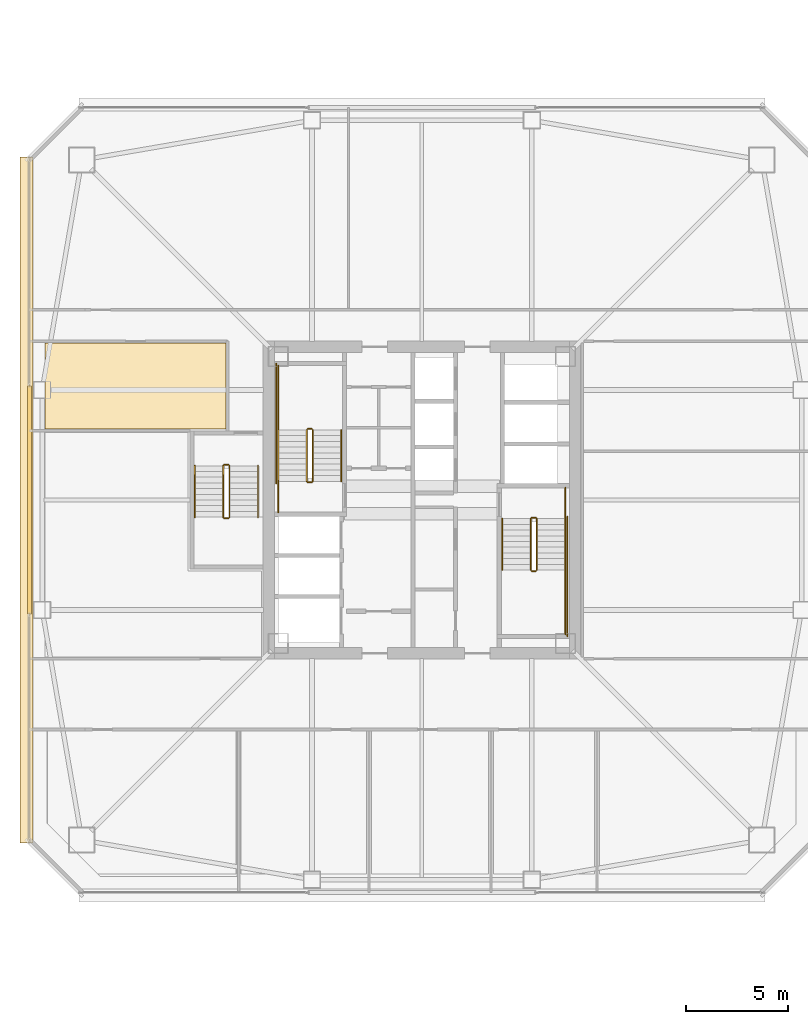
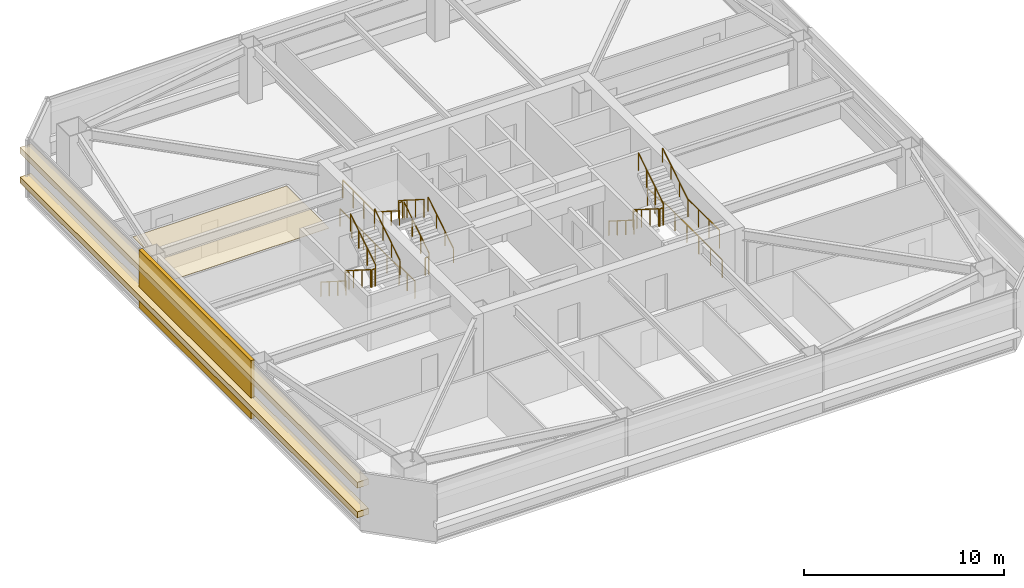
# One storey, part 37 of 41: 24 railings, 4 coverings.
"""IFC4 building model written with IfcOpenShell, lengths in metres."""

import ifcopenshell
import ifcopenshell.guid

model = None  # the IFC model being written
_history = None  # IfcOwnerHistory: only IFC2X3 demands one
_inside = {}  # id of a spatial element -> (the spatial element, [elements in it])
_under = {}  # id of a project, library or spatial element -> (it, [spatial elements below it])
_declared = {}  # id of a project -> (the project, [libraries it declares])
_typed = {}  # id of a type object -> (the type object, [elements of that type])
_made_of = {}  # id of a material, layer set ... -> (it, [elements and type objects made of it])


def new_model(schema):
    """Start an empty IFC model of exactly this schema.

    Asked for "IFC4X3", IfcOpenShell would pick the latest addendum, in which some entities
    have other attributes; the version numbers below select the first issue.
    IFC2X3 requires an IfcOwnerHistory on every rooted entity: one is made here for all.
    """
    global model, _history
    if schema == "IFC4X3":
        model = ifcopenshell.file(schema_version=(4, 3, 0, 0))
    else:
        model = ifcopenshell.file(schema=schema)
    _inside.clear()
    _under.clear()
    _declared.clear()
    _typed.clear()
    _made_of.clear()
    _history = None
    if model.schema == "IFC2X3":
        org = make("IfcOrganization", Name="unknown")
        user = make(
            "IfcPersonAndOrganization",
            ThePerson=make("IfcPerson", FamilyName="unknown"),
            TheOrganization=org,
        )
        app = make(
            "IfcApplication",
            ApplicationDeveloper=org,
            Version="unknown",
            ApplicationFullName="unknown",
            ApplicationIdentifier="unknown",
        )
        _history = make(
            "IfcOwnerHistory",
            OwningUser=user,
            OwningApplication=app,
            ChangeAction="ADDED",
            CreationDate=0,
        )
    return model


def make(cls, **values):
    """One entity of the class cls with the attributes given. An attribute that is None is left unset."""
    return model.create_entity(
        cls, **{name: value for name, value in values.items() if value is not None}
    )


def rooted(cls, **values):
    """An entity with a GlobalId (a new one), such as an element, a storey or a relation."""
    return make(cls, GlobalId=ifcopenshell.guid.new(), OwnerHistory=_history, **values)


def si_unit(unit_type, name, prefix=None):
    """IfcSIUnit, for example si_unit("LENGTHUNIT", "METRE", prefix="MILLI")."""
    return make("IfcSIUnit", UnitType=unit_type, Prefix=prefix, Name=name)


def assignment(units):
    """IfcUnitAssignment: the units of a project."""
    return None if units is None else make("IfcUnitAssignment", Units=units)


def point(xyz):
    """IfcCartesianPoint."""
    return None if xyz is None else make("IfcCartesianPoint", Coordinates=xyz)


def direction(xyz):
    """IfcDirection."""
    return None if xyz is None else make("IfcDirection", DirectionRatios=xyz)


def frame(location, z_axis=None, x_axis=None):
    """IfcAxis2Placement3D, a coordinate frame: its origin and axes. An axis left out is left unset."""
    return make(
        "IfcAxis2Placement3D",
        Location=point(location),
        Axis=direction(z_axis),
        RefDirection=direction(x_axis),
    )


def frame_2d(location, x_axis=None):
    """IfcAxis2Placement2D, a coordinate frame in the plane: its origin and x axis."""
    return make(
        "IfcAxis2Placement2D", Location=point(location), RefDirection=direction(x_axis)
    )


def origin():
    """The frame at (0, 0, 0) with its axes left unset."""
    return frame((0.0, 0.0, 0.0))


def origin_2d():
    """The frame at (0, 0) in the plane with its x axis left unset."""
    return frame_2d((0.0, 0.0))


def place(relative_to, where):
    """IfcLocalPlacement: puts the frame where relative to a parent placement (None: the world)."""
    return make(
        "IfcLocalPlacement", PlacementRelTo=relative_to, RelativePlacement=where
    )


def context(
    kind, dimensions, precision=None, world=None, true_north=None, identifier=None
):
    """IfcGeometricRepresentationContext, for example the 3D "Model" context."""
    return make(
        "IfcGeometricRepresentationContext",
        ContextIdentifier=identifier,
        ContextType=kind,
        CoordinateSpaceDimension=dimensions,
        Precision=precision,
        WorldCoordinateSystem=world,
        TrueNorth=true_north,
    )


def subcontext(parent, identifier, kind, view, scale=None):
    """IfcGeometricRepresentationSubContext, for example "Body" below "Model"."""
    return make(
        "IfcGeometricRepresentationSubContext",
        ContextIdentifier=identifier,
        ContextType=kind,
        ParentContext=parent,
        TargetScale=scale,
        TargetView=view,
    )


def project(units=None, contexts=None):
    """IfcProject with its units and contexts."""
    return rooted(
        "IfcProject",
        Name="project",
        RepresentationContexts=contexts,
        UnitsInContext=assignment(units),
    )


def spatial(cls, under=None, at=None, **own):
    """A site, building, storey or space (cls), placed at a placement, below another one or the project."""
    s = rooted(cls, ObjectPlacement=at, **own)
    if under is not None:
        _under.setdefault(under.id(), (under, []))[1].append(s)
    return s


def polyline(points):
    """IfcPolyline through the points."""
    return make("IfcPolyline", Points=[point(p) for p in points])


def profile(cls, at=None, kind="AREA", **sizes):
    """A parametric profile (cls). Its sizes go by their IFC names, for example OverallWidth=200.0."""
    return make(cls, ProfileType=kind, Position=at, **sizes)


def rectangle(**sizes):
    """IfcRectangleProfileDef."""
    return profile("IfcRectangleProfileDef", **sizes)


def outline(outer, holes=None, kind="AREA"):
    """IfcArbitraryClosedProfileDef: a profile drawn as a closed curve; with holes, ...WithVoids."""
    if holes is None:
        return make("IfcArbitraryClosedProfileDef", ProfileType=kind, OuterCurve=outer)
    return make(
        "IfcArbitraryProfileDefWithVoids",
        ProfileType=kind,
        OuterCurve=outer,
        InnerCurves=holes,
    )


def extrude(swept, where, along, depth):
    """IfcExtrudedAreaSolid: the profile swept, set in the frame where, extruded along a direction by depth."""
    return make(
        "IfcExtrudedAreaSolid",
        SweptArea=swept,
        Position=where,
        ExtrudedDirection=direction(along),
        Depth=depth,
    )


def shape(context_of_items, identifier, shape_type, items):
    """IfcShapeRepresentation: the items that make up one representation, for example the "Body"."""
    return make(
        "IfcShapeRepresentation",
        ContextOfItems=context_of_items,
        RepresentationIdentifier=identifier,
        RepresentationType=shape_type,
        Items=items,
    )


def material(Name=None, Category=None):
    """IfcMaterial."""
    return make("IfcMaterial", Name=Name, Category=Category)


def layer(
    of_material, thickness, ventilated=None, Name=None, Category=None, Priority=None
):
    """IfcMaterialLayer: one layer of a wall or slab, of a material (None: an air gap)."""
    return make(
        "IfcMaterialLayer",
        Material=of_material,
        LayerThickness=thickness,
        IsVentilated=ventilated,
        Name=Name,
        Category=Category,
        Priority=Priority,
    )


def layer_set(layers, Name=None):
    """IfcMaterialLayerSet."""
    return make("IfcMaterialLayerSet", MaterialLayers=layers, LayerSetName=Name)


def made_of(thing, what):
    """Note that an element or type object is made of a material, layer set ...; save() writes the relation."""
    if what is not None:
        _made_of.setdefault(what.id(), (what, []))[1].append(thing)
    return thing


def type_object(cls, material=None, **own):
    """A type object (cls), such as IfcWallType, which elements share."""
    return made_of(rooted(cls, **own), material)


def element(
    cls,
    number,
    at=None,
    inside=None,
    cuts=None,
    type_object=None,
    material=None,
    context=None,
    identifier="Body",
    shape_type=None,
    held_by="IfcProductDefinitionShape",
    body=None,
    shapes=None,
    **own,
):
    """One element of the class cls, such as IfcWall. Its Tag is "e" and its number.

    at: its placement. inside: the storey or other place that contains it. cuts: it is an
    opening in that element (IfcRelVoidsElement). A single representation is given by context,
    identifier, shape_type and body (its items); several are given by shapes. held_by: the class
    of the entity that holds the representations. save() writes the other relations.
    """
    e = rooted(cls, Tag="e%d" % number, ObjectPlacement=at, **own)
    if body is not None:
        shapes = [shape(context, identifier, shape_type, body)]
    if shapes is not None:
        e.Representation = make(held_by, Representations=shapes)
    if inside is not None:
        _inside.setdefault(inside.id(), (inside, []))[1].append(e)
    if cuts is not None:
        rooted(
            "IfcRelVoidsElement", RelatingBuildingElement=cuts, RelatedOpeningElement=e
        )
    if type_object is not None:
        _typed.setdefault(type_object.id(), (type_object, []))[1].append(e)
    return made_of(e, material)


def aggregate(whole, parts):
    """IfcRelAggregates: a whole, such as a stair, and the parts it consists of."""
    return rooted("IfcRelAggregates", RelatingObject=whole, RelatedObjects=parts)


def save(model, path):
    """Write the relations noted so far, then the file.

    IfcRelAggregates (storeys below a building ...), IfcRelContainedInSpatialStructure (elements
    in a storey), IfcRelDefinesByType, IfcRelAssociatesMaterial and IfcRelDeclares: one each for
    every whole, place, type object, material and project.
    """
    for whole, parts in _under.values():
        aggregate(whole, parts)
    for where, things in _inside.values():
        rooted(
            "IfcRelContainedInSpatialStructure",
            RelatedElements=things,
            RelatingStructure=where,
        )
    for kind, things in _typed.values():
        rooted("IfcRelDefinesByType", RelatedObjects=things, RelatingType=kind)
    for what, things in _made_of.values():
        rooted("IfcRelAssociatesMaterial", RelatedObjects=things, RelatingMaterial=what)
    for by, libraries in _declared.values():
        rooted("IfcRelDeclares", RelatingContext=by, RelatedDefinitions=libraries)
    model.write(path)


model = new_model("IFC4")

# Units and contexts
model_context = context("Model", 3, precision=1e-05, world=origin(), true_north=direction((0.0, 1.0)))
body_context = subcontext(model_context, "Body", "Model", "MODEL_VIEW")
ifc_project = project(units=[si_unit("LENGTHUNIT", "METRE"), si_unit("AREAUNIT", "SQUARE_METRE"), si_unit("VOLUMEUNIT", "CUBIC_METRE"), si_unit("PLANEANGLEUNIT", "RADIAN"), si_unit("MASSUNIT", "GRAM", prefix="KILO")], contexts=[model_context])

# Site, building, storey
site_placement = place(None, origin())
site = spatial("IfcSite", under=ifc_project, at=site_placement, CompositionType="ELEMENT")
building_placement = place(site_placement, origin())
building = spatial("IfcBuilding", under=site, at=building_placement, Name="Tashvorn Skyway Center", CompositionType="ELEMENT")
storey_placement = place(building_placement, frame((0.0, 0.0, 117.949951171875)))
storey = spatial("IfcBuildingStorey", under=building, at=storey_placement, Name="L31", CompositionType="ELEMENT", Elevation=117.949951171875)

# Coverings
ifc_material_1 = material(Name="Precast concrete C40/50", Category="concrete")
ifc_layer_1 = layer(ifc_material_1, 0.199951171875)
ifc_layer_set_1 = layer_set([ifc_layer_1], Name="Precast concrete C40/50")
covering_type_1 = type_object("IfcCoveringType", Name="COV-BRACE-CLAD", PredefinedType="CLADDING", material=ifc_layer_set_1)
covering_1_placement = place(storey_placement, frame((22.719970703125, 32.0, 0.0), z_axis=(0.0, 0.0, 1.0), x_axis=(0.0, 1.0, 0.0)))
element("IfcCovering", 1, at=covering_1_placement, inside=storey, type_object=covering_type_1, Name="Tower 1 L31 West Unitised Curtain Wall Mega-Brace Cladding Band 1", PredefinedType="CLADDING", context=body_context, shape_type="SweptSolid", body=[
    extrude(rectangle(XDim=11.1865234375, YDim=0.199951171875, at=origin_2d()), origin(), (0.0, 0.0, 1.0), 3.550048828125),
])
ifc_material_2 = material(Name="Mineral-fibre acoustic ceiling tile on suspended grid")
ifc_layer_2 = layer(ifc_material_2, 0.02001953125)
ifc_layer_set_2 = layer_set([ifc_layer_2], Name="Mineral-fibre acoustic ceiling tile on suspended grid")
covering_type_2 = type_object("IfcCoveringType", Name="COV-CEIL-20", PredefinedType="CEILING", material=ifc_layer_set_2)
covering_2_placement = place(storey_placement, frame((0.0, 0.0, 2.703125)))
element("IfcCovering", 2, at=covering_2_placement, inside=storey, type_object=covering_type_2, Name="Tower 1 L31 Reading Lounge Acoustic Ceiling", PredefinedType="CEILING", context=body_context, shape_type="SweptSolid", body=[
    extrude(outline(polyline([(32.3701171875, 39.719970703125), (32.3701171875, 35.47998046875), (23.5, 35.47998046875), (23.5, 39.719970703125), (32.3701171875, 39.719970703125)])), origin(), (0.0, 0.0, 1.0), 0.02001953125),
])
ifc_material_3 = material(Name="Perforated ceramic-coated bronze aluminium solar screen", Category="aluminium")
ifc_layer_3 = layer(ifc_material_3, 0.85009765625)
ifc_layer_set_3 = layer_set([ifc_layer_3], Name="Perforated ceramic-coated bronze aluminium solar screen")
covering_type_3 = type_object("IfcCoveringType", Name="COV-SOLAR-BAND", PredefinedType="CLADDING", material=ifc_layer_set_3)
for number, where, z_axis, x_axis, name in (
    (3, (22.580078125, 32.0, 0.919921875), (0.0, 0.0, 1.0), (0.0, 1.0, 0.0), "L31 Perforated Ceramic-Metal Solar Screen Louvre Band West 1"),
    (4, (22.580078125, 32.0, 2.72021484375), (0.0, 0.0, 1.0), (0.0, 1.0, 0.0), "L31 Perforated Ceramic-Metal Solar Screen Louvre Band West 2"),
):
    element("IfcCovering", number, at=place(storey_placement, frame(where, z_axis=z_axis, x_axis=x_axis)), inside=storey, type_object=covering_type_3, Name=name, PredefinedType="CLADDING", context=body_context, shape_type="SweptSolid", body=[
        extrude(rectangle(XDim=33.679931640625, YDim=0.639892578125, at=origin_2d()), origin(), (0.0, 0.0, 1.0), 0.360107421875),
    ])

# Railings
ifc_material_4 = material(Name="Brushed stainless steel 316", Category="steel")
railing_type_1 = type_object("IfcRailingType", Name="RAIL-HAND-920", PredefinedType="HANDRAIL", material=ifc_material_4)
railing_1_placement = place(storey_placement, frame((38.050048828125, 32.919921875, 0.177490234375)))
element("IfcRailing", 5, at=railing_1_placement, inside=storey, type_object=railing_type_1, Name="L31 ST-T1-1 stair handrail 1", PredefinedType="HANDRAIL", context=body_context, shape_type="SweptSolid", body=[
    extrude(rectangle(XDim=0.048095703125, YDim=0.048095703125, at=origin_2d()), frame((0.0, 0.0, 0.8759765625), z_axis=(0.0, 0.84456994832, 0.535445237532), x_axis=(-1.0, 0.0, 0.0)), (0.0, 0.0, 1.0), 2.98388671875),
    extrude(rectangle(XDim=0.0419921875, YDim=0.0419921875, at=origin_2d()), origin(), (0.0, 0.0, 1.0), 0.851806640625),
    extrude(rectangle(XDim=0.0419921875, YDim=0.0419921875, at=origin_2d()), frame((0.0, 0.840087890625, 0.532470703125)), (0.0, 0.0, 1.0), 0.851806640625),
    extrude(rectangle(XDim=0.0419921875, YDim=0.0419921875, at=origin_2d()), frame((0.0, 1.679931640625, 1.065185546875)), (0.0, 0.0, 1.0), 0.851806640625),
    extrude(rectangle(XDim=0.0419921875, YDim=0.0419921875, at=origin_2d()), frame((0.0, 2.52001953125, 1.59765625)), (0.0, 0.0, 1.0), 0.851806640625),
])
railing_2_placement = place(storey_placement, frame((34.949951171875, 35.43994140625, 1.95263671875)))
element("IfcRailing", 6, at=railing_2_placement, inside=storey, type_object=railing_type_1, Name="L31 ST-T1-1 stair handrail 2", PredefinedType="HANDRAIL", context=body_context, shape_type="SweptSolid", body=[
    extrude(rectangle(XDim=0.048095703125, YDim=0.048095703125, at=origin_2d()), frame((0.0, 0.0, 0.8759765625), z_axis=(0.0, -0.84460694969, 0.535386869969), x_axis=(1.0, 0.0, 0.0)), (0.0, 0.0, 1.0), 2.983642578125),
    extrude(rectangle(XDim=0.0419921875, YDim=0.0419921875, at=origin_2d()), origin(), (0.0, 0.0, 1.0), 0.851806640625),
    extrude(rectangle(XDim=0.0419921875, YDim=0.0419921875, at=origin_2d()), frame((0.0, -0.840087890625, 0.532470703125)), (0.0, 0.0, 1.0), 0.851806640625),
    extrude(rectangle(XDim=0.0419921875, YDim=0.0419921875, at=origin_2d()), frame((0.0, -1.679931640625, 1.06494140625)), (0.0, 0.0, 1.0), 0.851806640625),
    extrude(rectangle(XDim=0.0419921875, YDim=0.0419921875, at=origin_2d()), frame((0.0, -2.52001953125, 1.597412109375)), (0.0, 0.0, 1.0), 0.851806640625),
])
railing_3_placement = place(storey_placement, frame((45.949951171875, 31.080078125, 0.177490234375)))
element("IfcRailing", 7, at=railing_3_placement, inside=storey, type_object=railing_type_1, Name="L31 ST-T1-2 stair handrail 1", PredefinedType="HANDRAIL", context=body_context, shape_type="SweptSolid", body=[
    extrude(rectangle(XDim=0.048095703125, YDim=0.048095703125, at=origin_2d()), frame((0.0, 0.0, 0.8759765625), z_axis=(0.0, -0.84456994832, 0.535445237532), x_axis=(1.0, 0.0, 0.0)), (0.0, 0.0, 1.0), 2.98388671875),
    extrude(rectangle(XDim=0.0419921875, YDim=0.0419921875, at=origin_2d()), origin(), (0.0, 0.0, 1.0), 0.851806640625),
    extrude(rectangle(XDim=0.0419921875, YDim=0.0419921875, at=origin_2d()), frame((0.0, -0.840087890625, 0.532470703125)), (0.0, 0.0, 1.0), 0.851806640625),
    extrude(rectangle(XDim=0.0419921875, YDim=0.0419921875, at=origin_2d()), frame((0.0, -1.679931640625, 1.065185546875)), (0.0, 0.0, 1.0), 0.851806640625),
    extrude(rectangle(XDim=0.0419921875, YDim=0.0419921875, at=origin_2d()), frame((0.0, -2.52001953125, 1.59765625)), (0.0, 0.0, 1.0), 0.851806640625),
])
railing_4_placement = place(storey_placement, frame((49.050048828125, 28.56005859375, 1.95263671875)))
element("IfcRailing", 8, at=railing_4_placement, inside=storey, type_object=railing_type_1, Name="L31 ST-T1-2 stair handrail 2", PredefinedType="HANDRAIL", context=body_context, shape_type="SweptSolid", body=[
    extrude(rectangle(XDim=0.048095703125, YDim=0.048095703125, at=origin_2d()), frame((0.0, 0.0, 0.8759765625), z_axis=(0.0, 0.84460694969, 0.535386869969), x_axis=(-1.0, 0.0, 0.0)), (0.0, 0.0, 1.0), 2.983642578125),
    extrude(rectangle(XDim=0.0419921875, YDim=0.0419921875, at=origin_2d()), origin(), (0.0, 0.0, 1.0), 0.851806640625),
    extrude(rectangle(XDim=0.0419921875, YDim=0.0419921875, at=origin_2d()), frame((0.0, 0.840087890625, 0.532470703125)), (0.0, 0.0, 1.0), 0.851806640625),
    extrude(rectangle(XDim=0.0419921875, YDim=0.0419921875, at=origin_2d()), frame((0.0, 1.679931640625, 1.06494140625)), (0.0, 0.0, 1.0), 0.851806640625),
    extrude(rectangle(XDim=0.0419921875, YDim=0.0419921875, at=origin_2d()), frame((0.0, 2.52001953125, 1.597412109375)), (0.0, 0.0, 1.0), 0.851806640625),
])
railing_5_placement = place(storey_placement, frame((30.85009765625, 33.679931640625, 0.177490234375)))
element("IfcRailing", 9, at=railing_5_placement, inside=storey, type_object=railing_type_1, Name="L31 ST-T1-3 stair handrail 1", PredefinedType="HANDRAIL", context=body_context, shape_type="SweptSolid", body=[
    extrude(rectangle(XDim=0.048095703125, YDim=0.048095703125, at=origin_2d()), frame((0.0, 0.0, 0.8759765625), z_axis=(0.0, -0.84456994832, 0.535445237532), x_axis=(1.0, 0.0, 0.0)), (0.0, 0.0, 1.0), 2.98388671875),
    extrude(rectangle(XDim=0.0419921875, YDim=0.0419921875, at=origin_2d()), origin(), (0.0, 0.0, 1.0), 0.851806640625),
    extrude(rectangle(XDim=0.0419921875, YDim=0.0419921875, at=origin_2d()), frame((0.0, -0.840087890625, 0.532470703125)), (0.0, 0.0, 1.0), 0.851806640625),
    extrude(rectangle(XDim=0.0419921875, YDim=0.0419921875, at=origin_2d()), frame((0.0, -1.679931640625, 1.065185546875)), (0.0, 0.0, 1.0), 0.851806640625),
    extrude(rectangle(XDim=0.0419921875, YDim=0.0419921875, at=origin_2d()), frame((0.0, -2.52001953125, 1.59765625)), (0.0, 0.0, 1.0), 0.851806640625),
])
railing_6_placement = place(storey_placement, frame((33.949951171875, 31.159912109375, 1.95263671875)))
element("IfcRailing", 10, at=railing_6_placement, inside=storey, type_object=railing_type_1, Name="L31 ST-T1-3 stair handrail 2", PredefinedType="HANDRAIL", context=body_context, shape_type="SweptSolid", body=[
    extrude(rectangle(XDim=0.048095703125, YDim=0.048095703125, at=origin_2d()), frame((0.0, 0.0, 0.8759765625), z_axis=(0.0, 0.84460694969, 0.535386869969), x_axis=(-1.0, 0.0, 0.0)), (0.0, 0.0, 1.0), 2.983642578125),
    extrude(rectangle(XDim=0.0419921875, YDim=0.0419921875, at=origin_2d()), origin(), (0.0, 0.0, 1.0), 0.851806640625),
    extrude(rectangle(XDim=0.0419921875, YDim=0.0419921875, at=origin_2d()), frame((0.0, 0.840087890625, 0.532470703125)), (0.0, 0.0, 1.0), 0.851806640625),
    extrude(rectangle(XDim=0.0419921875, YDim=0.0419921875, at=origin_2d()), frame((0.0, 1.679931640625, 1.06494140625)), (0.0, 0.0, 1.0), 0.851806640625),
    extrude(rectangle(XDim=0.0419921875, YDim=0.0419921875, at=origin_2d()), frame((0.0, 2.52001953125, 1.597412109375)), (0.0, 0.0, 1.0), 0.851806640625),
])
ifc_material_5 = material(Name="Painted galvanized steel S355", Category="steel")
railing_type_2 = type_object("IfcRailingType", Name="RAIL-STGUARD-1100", PredefinedType="GUARDRAIL", material=ifc_material_5)
railing_7_placement = place(storey_placement, frame((36.64990234375, 32.919921875, 0.177490234375)))
element("IfcRailing", 11, at=railing_7_placement, inside=storey, type_object=railing_type_2, Name="L31 ST-T1-1 stair guard 1", PredefinedType="GUARDRAIL", context=body_context, shape_type="SweptSolid", body=[
    extrude(rectangle(XDim=0.048095703125, YDim=0.048095703125, at=origin_2d()), frame((0.0, 0.0, 1.076171875), z_axis=(0.0, 0.84456994832, 0.535445237532), x_axis=(-1.0, 0.0, 0.0)), (0.0, 0.0, 1.0), 2.98388671875),
    extrude(rectangle(XDim=0.0419921875, YDim=0.0419921875, at=origin_2d()), origin(), (0.0, 0.0, 1.0), 1.052001953125),
    extrude(rectangle(XDim=0.0419921875, YDim=0.0419921875, at=origin_2d()), frame((0.0, 0.840087890625, 0.532470703125)), (0.0, 0.0, 1.0), 1.052001953125),
    extrude(rectangle(XDim=0.0419921875, YDim=0.0419921875, at=origin_2d()), frame((0.0, 1.679931640625, 1.065185546875)), (0.0, 0.0, 1.0), 1.052001953125),
    extrude(rectangle(XDim=0.0419921875, YDim=0.0419921875, at=origin_2d()), frame((0.0, 2.52001953125, 1.59765625)), (0.0, 0.0, 1.0), 1.052001953125),
])
railing_8_placement = place(storey_placement, frame((36.60009765625, 35.489990234375, 1.775146484375)))
element("IfcRailing", 12, at=railing_8_placement, inside=storey, type_object=railing_type_2, Name="L31 ST-T1-1 stair guard 2", PredefinedType="GUARDRAIL", context=body_context, shape_type="SweptSolid", body=[
    extrude(rectangle(XDim=0.048095703125, YDim=0.048095703125, at=origin_2d()), frame((0.0, 0.0, 1.076171875), z_axis=(-1.0, 0.0, 0.0), x_axis=(0.0, -1.0, 0.0)), (0.0, 0.0, 1.0), 0.2001953125),
    extrude(rectangle(XDim=0.0419921875, YDim=0.0419921875, at=origin_2d()), origin(), (0.0, 0.0, 1.0), 1.052001953125),
    extrude(rectangle(XDim=0.0419921875, YDim=0.0419921875, at=origin_2d()), frame((-0.2001953125, 0.0, 0.0)), (0.0, 0.0, 1.0), 1.052001953125),
])
railing_9_placement = place(storey_placement, frame((34.949951171875, 35.43994140625, 1.775146484375)))
element("IfcRailing", 13, at=railing_9_placement, inside=storey, type_object=railing_type_2, Name="L31 ST-T1-1 stair guard 3", PredefinedType="GUARDRAIL", context=body_context, shape_type="SweptSolid", body=[
    extrude(rectangle(XDim=0.048095703125, YDim=0.048095703125, at=origin_2d()), frame((0.0, 0.0, 1.076171875), z_axis=(0.0, 1.0, 0.0), x_axis=(-1.0, 0.0, 0.0)), (0.0, 0.0, 1.0), 3.16015625),
    extrude(rectangle(XDim=0.0419921875, YDim=0.0419921875, at=origin_2d()), origin(), (0.0, 0.0, 1.0), 1.052001953125),
    extrude(rectangle(XDim=0.0419921875, YDim=0.0419921875, at=origin_2d()), frame((0.0, 1.053466796875, 0.0)), (0.0, 0.0, 1.0), 1.052001953125),
    extrude(rectangle(XDim=0.0419921875, YDim=0.0419921875, at=origin_2d()), frame((0.0, 2.106689453125, 0.0)), (0.0, 0.0, 1.0), 1.052001953125),
    extrude(rectangle(XDim=0.0419921875, YDim=0.0419921875, at=origin_2d()), frame((0.0, 3.16015625, 0.0)), (0.0, 0.0, 1.0), 1.052001953125),
])
railing_10_placement = place(storey_placement, frame((36.35009765625, 35.43994140625, 1.95263671875)))
element("IfcRailing", 14, at=railing_10_placement, inside=storey, type_object=railing_type_2, Name="L31 ST-T1-1 stair guard 4", PredefinedType="GUARDRAIL", context=body_context, shape_type="SweptSolid", body=[
    extrude(rectangle(XDim=0.048095703125, YDim=0.048095703125, at=origin_2d()), frame((0.0, 0.0, 1.076171875), z_axis=(0.0, -0.84460694969, 0.535386869969), x_axis=(1.0, 0.0, 0.0)), (0.0, 0.0, 1.0), 2.983642578125),
    extrude(rectangle(XDim=0.0419921875, YDim=0.0419921875, at=origin_2d()), origin(), (0.0, 0.0, 1.0), 1.052001953125),
    extrude(rectangle(XDim=0.0419921875, YDim=0.0419921875, at=origin_2d()), frame((0.0, -0.840087890625, 0.532470703125)), (0.0, 0.0, 1.0), 1.052001953125),
    extrude(rectangle(XDim=0.0419921875, YDim=0.0419921875, at=origin_2d()), frame((0.0, -1.679931640625, 1.06494140625)), (0.0, 0.0, 1.0), 1.052001953125),
    extrude(rectangle(XDim=0.0419921875, YDim=0.0419921875, at=origin_2d()), frame((0.0, -2.52001953125, 1.597412109375)), (0.0, 0.0, 1.0), 1.052001953125),
])
railing_11_placement = place(storey_placement, frame((36.60009765625, 32.8701171875, 0.0)))
element("IfcRailing", 15, at=railing_11_placement, inside=storey, type_object=railing_type_2, Name="L31 ST-T1-1 stair guard 5", PredefinedType="GUARDRAIL", context=body_context, shape_type="SweptSolid", body=[
    extrude(rectangle(XDim=0.048095703125, YDim=0.048095703125, at=origin_2d()), frame((0.0, 0.0, 1.076171875), z_axis=(-1.0, 0.0, 0.0), x_axis=(0.0, -1.0, 0.0)), (0.0, 0.0, 1.0), 0.2001953125),
    extrude(rectangle(XDim=0.0419921875, YDim=0.0419921875, at=origin_2d()), origin(), (0.0, 0.0, 1.0), 1.052001953125),
    extrude(rectangle(XDim=0.0419921875, YDim=0.0419921875, at=origin_2d()), frame((-0.2001953125, 0.0, 0.0)), (0.0, 0.0, 1.0), 1.052001953125),
])
railing_12_placement = place(storey_placement, frame((34.949951171875, 31.39990234375, 0.0)))
element("IfcRailing", 16, at=railing_12_placement, inside=storey, type_object=railing_type_2, Name="L31 ST-T1-1 stair guard 6", PredefinedType="GUARDRAIL", context=body_context, shape_type="SweptSolid", body=[
    extrude(rectangle(XDim=0.048095703125, YDim=0.048095703125, at=origin_2d()), frame((0.0, 0.0, 1.076171875), z_axis=(0.0, 1.0, 0.0), x_axis=(-1.0, 0.0, 0.0)), (0.0, 0.0, 1.0), 1.52001953125),
    extrude(rectangle(XDim=0.0419921875, YDim=0.0419921875, at=origin_2d()), origin(), (0.0, 0.0, 1.0), 1.052001953125),
    extrude(rectangle(XDim=0.0419921875, YDim=0.0419921875, at=origin_2d()), frame((0.0, 0.760009765625, 0.0)), (0.0, 0.0, 1.0), 1.052001953125),
    extrude(rectangle(XDim=0.0419921875, YDim=0.0419921875, at=origin_2d()), frame((0.0, 1.52001953125, 0.0)), (0.0, 0.0, 1.0), 1.052001953125),
])
railing_13_placement = place(storey_placement, frame((34.85009765625, 32.820068359375, 0.0)))
element("IfcRailing", 17, at=railing_13_placement, inside=storey, type_object=railing_type_2, Name="L31 ST-T1-1 stair guard 7", PredefinedType="GUARDRAIL", context=body_context, shape_type="SweptSolid", body=[
    extrude(rectangle(XDim=0.048095703125, YDim=0.048095703125, at=origin_2d()), frame((0.0, 0.0, 1.076171875), z_axis=(0.0, 1.0, 0.0), x_axis=(-1.0, 0.0, 0.0)), (0.0, 0.0, 1.0), 5.8798828125),
    extrude(rectangle(XDim=0.0419921875, YDim=0.0419921875, at=origin_2d()), origin(), (0.0, 0.0, 1.0), 1.052001953125),
    extrude(rectangle(XDim=0.0419921875, YDim=0.0419921875, at=origin_2d()), frame((0.0, 1.176025390625, 0.0)), (0.0, 0.0, 1.0), 1.052001953125),
    extrude(rectangle(XDim=0.0419921875, YDim=0.0419921875, at=origin_2d()), frame((0.0, 2.35205078125, 0.0)), (0.0, 0.0, 1.0), 1.052001953125),
    extrude(rectangle(XDim=0.0419921875, YDim=0.0419921875, at=origin_2d()), frame((0.0, 3.52783203125, 0.0)), (0.0, 0.0, 1.0), 1.052001953125),
    extrude(rectangle(XDim=0.0419921875, YDim=0.0419921875, at=origin_2d()), frame((0.0, 4.703857421875, 0.0)), (0.0, 0.0, 1.0), 1.052001953125),
    extrude(rectangle(XDim=0.0419921875, YDim=0.0419921875, at=origin_2d()), frame((0.0, 5.8798828125, 0.0)), (0.0, 0.0, 1.0), 1.052001953125),
])
railing_14_placement = place(storey_placement, frame((47.35009765625, 31.080078125, 0.177490234375)))
element("IfcRailing", 18, at=railing_14_placement, inside=storey, type_object=railing_type_2, Name="L31 ST-T1-2 stair guard 1", PredefinedType="GUARDRAIL", context=body_context, shape_type="SweptSolid", body=[
    extrude(rectangle(XDim=0.048095703125, YDim=0.048095703125, at=origin_2d()), frame((0.0, 0.0, 1.076171875), z_axis=(0.0, -0.84456994832, 0.535445237532), x_axis=(1.0, 0.0, 0.0)), (0.0, 0.0, 1.0), 2.98388671875),
    extrude(rectangle(XDim=0.0419921875, YDim=0.0419921875, at=origin_2d()), origin(), (0.0, 0.0, 1.0), 1.052001953125),
    extrude(rectangle(XDim=0.0419921875, YDim=0.0419921875, at=origin_2d()), frame((0.0, -0.840087890625, 0.532470703125)), (0.0, 0.0, 1.0), 1.052001953125),
    extrude(rectangle(XDim=0.0419921875, YDim=0.0419921875, at=origin_2d()), frame((0.0, -1.679931640625, 1.065185546875)), (0.0, 0.0, 1.0), 1.052001953125),
    extrude(rectangle(XDim=0.0419921875, YDim=0.0419921875, at=origin_2d()), frame((0.0, -2.52001953125, 1.59765625)), (0.0, 0.0, 1.0), 1.052001953125),
])
railing_15_placement = place(storey_placement, frame((47.39990234375, 28.510009765625, 1.775146484375)))
element("IfcRailing", 19, at=railing_15_placement, inside=storey, type_object=railing_type_2, Name="L31 ST-T1-2 stair guard 2", PredefinedType="GUARDRAIL", context=body_context, shape_type="SweptSolid", body=[
    extrude(rectangle(XDim=0.048095703125, YDim=0.048095703125, at=origin_2d()), frame((0.0, 0.0, 1.076171875), z_axis=(1.0, 0.0, 0.0), x_axis=(0.0, 1.0, 0.0)), (0.0, 0.0, 1.0), 0.2001953125),
    extrude(rectangle(XDim=0.0419921875, YDim=0.0419921875, at=origin_2d()), origin(), (0.0, 0.0, 1.0), 1.052001953125),
    extrude(rectangle(XDim=0.0419921875, YDim=0.0419921875, at=origin_2d()), frame((0.2001953125, 0.0, 0.0)), (0.0, 0.0, 1.0), 1.052001953125),
])
railing_16_placement = place(storey_placement, frame((49.050048828125, 28.56005859375, 1.775146484375)))
element("IfcRailing", 20, at=railing_16_placement, inside=storey, type_object=railing_type_2, Name="L31 ST-T1-2 stair guard 3", PredefinedType="GUARDRAIL", context=body_context, shape_type="SweptSolid", body=[
    extrude(rectangle(XDim=0.048095703125, YDim=0.048095703125, at=origin_2d()), frame((0.0, 0.0, 1.076171875), z_axis=(0.0, -1.0, 0.0), x_axis=(1.0, 0.0, 0.0)), (0.0, 0.0, 1.0), 3.16015625),
    extrude(rectangle(XDim=0.0419921875, YDim=0.0419921875, at=origin_2d()), origin(), (0.0, 0.0, 1.0), 1.052001953125),
    extrude(rectangle(XDim=0.0419921875, YDim=0.0419921875, at=origin_2d()), frame((0.0, -1.053466796875, 0.0)), (0.0, 0.0, 1.0), 1.052001953125),
    extrude(rectangle(XDim=0.0419921875, YDim=0.0419921875, at=origin_2d()), frame((0.0, -2.106689453125, 0.0)), (0.0, 0.0, 1.0), 1.052001953125),
    extrude(rectangle(XDim=0.0419921875, YDim=0.0419921875, at=origin_2d()), frame((0.0, -3.16015625, 0.0)), (0.0, 0.0, 1.0), 1.052001953125),
])
railing_17_placement = place(storey_placement, frame((47.64990234375, 28.56005859375, 1.95263671875)))
element("IfcRailing", 21, at=railing_17_placement, inside=storey, type_object=railing_type_2, Name="L31 ST-T1-2 stair guard 4", PredefinedType="GUARDRAIL", context=body_context, shape_type="SweptSolid", body=[
    extrude(rectangle(XDim=0.048095703125, YDim=0.048095703125, at=origin_2d()), frame((0.0, 0.0, 1.076171875), z_axis=(0.0, 0.84460694969, 0.535386869969), x_axis=(-1.0, 0.0, 0.0)), (0.0, 0.0, 1.0), 2.983642578125),
    extrude(rectangle(XDim=0.0419921875, YDim=0.0419921875, at=origin_2d()), origin(), (0.0, 0.0, 1.0), 1.052001953125),
    extrude(rectangle(XDim=0.0419921875, YDim=0.0419921875, at=origin_2d()), frame((0.0, 0.840087890625, 0.532470703125)), (0.0, 0.0, 1.0), 1.052001953125),
    extrude(rectangle(XDim=0.0419921875, YDim=0.0419921875, at=origin_2d()), frame((0.0, 1.679931640625, 1.06494140625)), (0.0, 0.0, 1.0), 1.052001953125),
    extrude(rectangle(XDim=0.0419921875, YDim=0.0419921875, at=origin_2d()), frame((0.0, 2.52001953125, 1.597412109375)), (0.0, 0.0, 1.0), 1.052001953125),
])
railing_18_placement = place(storey_placement, frame((47.39990234375, 31.1298828125, 0.0)))
element("IfcRailing", 22, at=railing_18_placement, inside=storey, type_object=railing_type_2, Name="L31 ST-T1-2 stair guard 5", PredefinedType="GUARDRAIL", context=body_context, shape_type="SweptSolid", body=[
    extrude(rectangle(XDim=0.048095703125, YDim=0.048095703125, at=origin_2d()), frame((0.0, 0.0, 1.076171875), z_axis=(1.0, 0.0, 0.0), x_axis=(0.0, 1.0, 0.0)), (0.0, 0.0, 1.0), 0.2001953125),
    extrude(rectangle(XDim=0.0419921875, YDim=0.0419921875, at=origin_2d()), origin(), (0.0, 0.0, 1.0), 1.052001953125),
    extrude(rectangle(XDim=0.0419921875, YDim=0.0419921875, at=origin_2d()), frame((0.2001953125, 0.0, 0.0)), (0.0, 0.0, 1.0), 1.052001953125),
])
railing_19_placement = place(storey_placement, frame((49.050048828125, 32.60009765625, 0.0)))
element("IfcRailing", 23, at=railing_19_placement, inside=storey, type_object=railing_type_2, Name="L31 ST-T1-2 stair guard 6", PredefinedType="GUARDRAIL", context=body_context, shape_type="SweptSolid", body=[
    extrude(rectangle(XDim=0.048095703125, YDim=0.048095703125, at=origin_2d()), frame((0.0, 0.0, 1.076171875), z_axis=(0.0, -1.0, 0.0), x_axis=(1.0, 0.0, 0.0)), (0.0, 0.0, 1.0), 1.52001953125),
    extrude(rectangle(XDim=0.0419921875, YDim=0.0419921875, at=origin_2d()), origin(), (0.0, 0.0, 1.0), 1.052001953125),
    extrude(rectangle(XDim=0.0419921875, YDim=0.0419921875, at=origin_2d()), frame((0.0, -0.760009765625, 0.0)), (0.0, 0.0, 1.0), 1.052001953125),
    extrude(rectangle(XDim=0.0419921875, YDim=0.0419921875, at=origin_2d()), frame((0.0, -1.52001953125, 0.0)), (0.0, 0.0, 1.0), 1.052001953125),
])
railing_20_placement = place(storey_placement, frame((49.14990234375, 31.179931640625, 0.0)))
element("IfcRailing", 24, at=railing_20_placement, inside=storey, type_object=railing_type_2, Name="L31 ST-T1-2 stair guard 7", PredefinedType="GUARDRAIL", context=body_context, shape_type="SweptSolid", body=[
    extrude(rectangle(XDim=0.048095703125, YDim=0.048095703125, at=origin_2d()), frame((0.0, 0.0, 1.076171875), z_axis=(0.0, -1.0, 0.0), x_axis=(1.0, 0.0, 0.0)), (0.0, 0.0, 1.0), 5.8798828125),
    extrude(rectangle(XDim=0.0419921875, YDim=0.0419921875, at=origin_2d()), origin(), (0.0, 0.0, 1.0), 1.052001953125),
    extrude(rectangle(XDim=0.0419921875, YDim=0.0419921875, at=origin_2d()), frame((0.0, -1.176025390625, 0.0)), (0.0, 0.0, 1.0), 1.052001953125),
    extrude(rectangle(XDim=0.0419921875, YDim=0.0419921875, at=origin_2d()), frame((0.0, -2.35205078125, 0.0)), (0.0, 0.0, 1.0), 1.052001953125),
    extrude(rectangle(XDim=0.0419921875, YDim=0.0419921875, at=origin_2d()), frame((0.0, -3.52783203125, 0.0)), (0.0, 0.0, 1.0), 1.052001953125),
    extrude(rectangle(XDim=0.0419921875, YDim=0.0419921875, at=origin_2d()), frame((0.0, -4.703857421875, 0.0)), (0.0, 0.0, 1.0), 1.052001953125),
    extrude(rectangle(XDim=0.0419921875, YDim=0.0419921875, at=origin_2d()), frame((0.0, -5.8798828125, 0.0)), (0.0, 0.0, 1.0), 1.052001953125),
])
railing_21_placement = place(storey_placement, frame((32.25, 33.679931640625, 0.177490234375)))
element("IfcRailing", 25, at=railing_21_placement, inside=storey, type_object=railing_type_2, Name="L31 ST-T1-3 stair guard 1", PredefinedType="GUARDRAIL", context=body_context, shape_type="SweptSolid", body=[
    extrude(rectangle(XDim=0.048095703125, YDim=0.048095703125, at=origin_2d()), frame((0.0, 0.0, 1.076171875), z_axis=(0.0, -0.84456994832, 0.535445237532), x_axis=(1.0, 0.0, 0.0)), (0.0, 0.0, 1.0), 2.98388671875),
    extrude(rectangle(XDim=0.0419921875, YDim=0.0419921875, at=origin_2d()), origin(), (0.0, 0.0, 1.0), 1.052001953125),
    extrude(rectangle(XDim=0.0419921875, YDim=0.0419921875, at=origin_2d()), frame((0.0, -0.840087890625, 0.532470703125)), (0.0, 0.0, 1.0), 1.052001953125),
    extrude(rectangle(XDim=0.0419921875, YDim=0.0419921875, at=origin_2d()), frame((0.0, -1.679931640625, 1.065185546875)), (0.0, 0.0, 1.0), 1.052001953125),
    extrude(rectangle(XDim=0.0419921875, YDim=0.0419921875, at=origin_2d()), frame((0.0, -2.52001953125, 1.59765625)), (0.0, 0.0, 1.0), 1.052001953125),
])
railing_22_placement = place(storey_placement, frame((32.300048828125, 31.110107421875, 1.775146484375)))
element("IfcRailing", 26, at=railing_22_placement, inside=storey, type_object=railing_type_2, Name="L31 ST-T1-3 stair guard 2", PredefinedType="GUARDRAIL", context=body_context, shape_type="SweptSolid", body=[
    extrude(rectangle(XDim=0.048095703125, YDim=0.048095703125, at=origin_2d()), frame((0.0, 0.0, 1.076171875), z_axis=(1.0, 0.0, 0.0), x_axis=(0.0, 1.0, 0.0)), (0.0, 0.0, 1.0), 0.199951171875),
    extrude(rectangle(XDim=0.0419921875, YDim=0.0419921875, at=origin_2d()), origin(), (0.0, 0.0, 1.0), 1.052001953125),
    extrude(rectangle(XDim=0.0419921875, YDim=0.0419921875, at=origin_2d()), frame((0.199951171875, 0.0, 0.0)), (0.0, 0.0, 1.0), 1.052001953125),
])
railing_23_placement = place(storey_placement, frame((32.550048828125, 31.159912109375, 1.95263671875)))
element("IfcRailing", 27, at=railing_23_placement, inside=storey, type_object=railing_type_2, Name="L31 ST-T1-3 stair guard 3", PredefinedType="GUARDRAIL", context=body_context, shape_type="SweptSolid", body=[
    extrude(rectangle(XDim=0.048095703125, YDim=0.048095703125, at=origin_2d()), frame((0.0, 0.0, 1.076171875), z_axis=(0.0, 0.84460694969, 0.535386869969), x_axis=(-1.0, 0.0, 0.0)), (0.0, 0.0, 1.0), 2.983642578125),
    extrude(rectangle(XDim=0.0419921875, YDim=0.0419921875, at=origin_2d()), origin(), (0.0, 0.0, 1.0), 1.052001953125),
    extrude(rectangle(XDim=0.0419921875, YDim=0.0419921875, at=origin_2d()), frame((0.0, 0.840087890625, 0.532470703125)), (0.0, 0.0, 1.0), 1.052001953125),
    extrude(rectangle(XDim=0.0419921875, YDim=0.0419921875, at=origin_2d()), frame((0.0, 1.679931640625, 1.06494140625)), (0.0, 0.0, 1.0), 1.052001953125),
    extrude(rectangle(XDim=0.0419921875, YDim=0.0419921875, at=origin_2d()), frame((0.0, 2.52001953125, 1.597412109375)), (0.0, 0.0, 1.0), 1.052001953125),
])
railing_24_placement = place(storey_placement, frame((32.300048828125, 33.72998046875, 0.0)))
element("IfcRailing", 28, at=railing_24_placement, inside=storey, type_object=railing_type_2, Name="L31 ST-T1-3 stair guard 4", PredefinedType="GUARDRAIL", context=body_context, shape_type="SweptSolid", body=[
    extrude(rectangle(XDim=0.048095703125, YDim=0.048095703125, at=origin_2d()), frame((0.0, 0.0, 1.076171875), z_axis=(1.0, 0.0, 0.0), x_axis=(0.0, 1.0, 0.0)), (0.0, 0.0, 1.0), 0.199951171875),
    extrude(rectangle(XDim=0.0419921875, YDim=0.0419921875, at=origin_2d()), origin(), (0.0, 0.0, 1.0), 1.052001953125),
    extrude(rectangle(XDim=0.0419921875, YDim=0.0419921875, at=origin_2d()), frame((0.199951171875, 0.0, 0.0)), (0.0, 0.0, 1.0), 1.052001953125),
])

save(model, "model.ifc")
